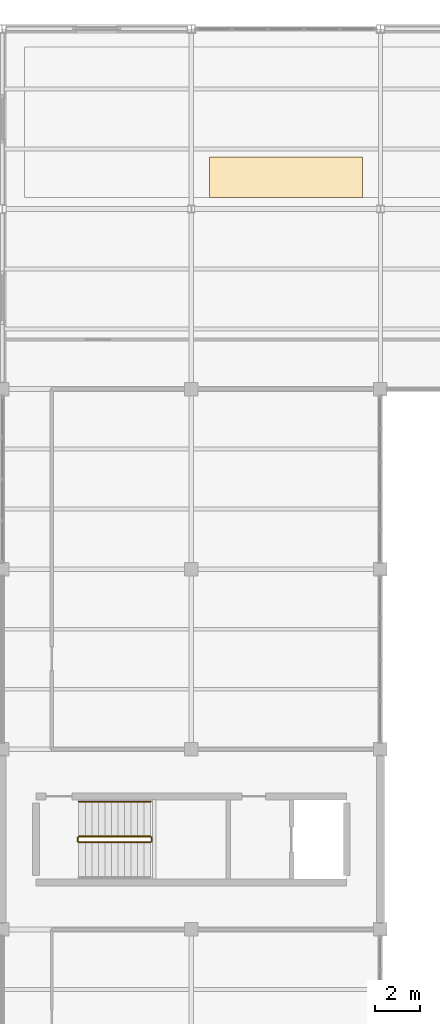
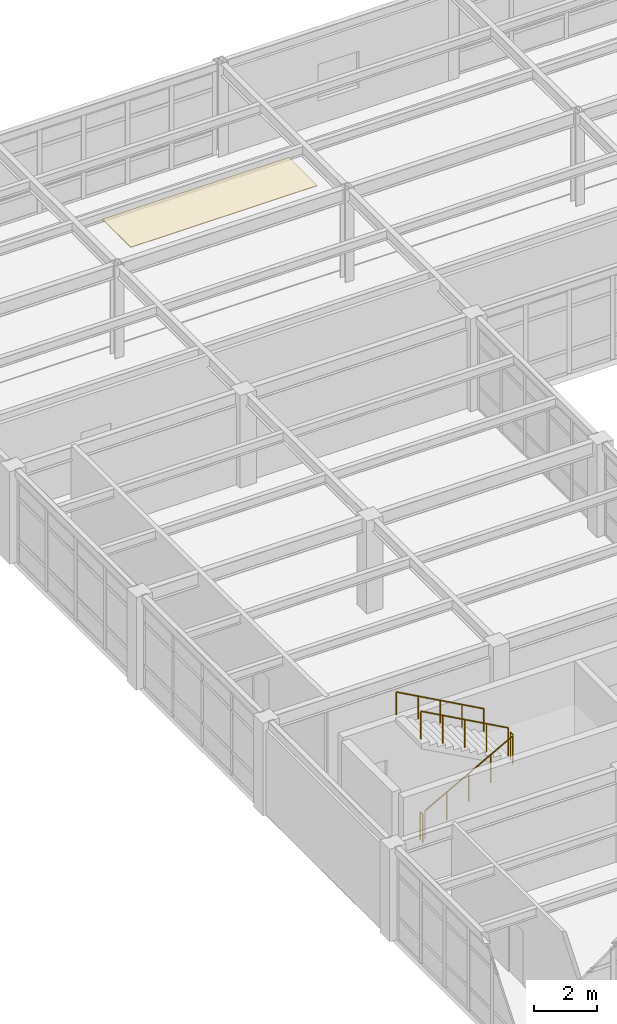
# One storey, part 93 of 96: 5 railings, 1 covering.
"""IFC4 building model written with IfcOpenShell, lengths in metres."""

from ifc_helpers import new_model, si_unit, direction, frame, origin, origin_2d, place, context, subcontext, project, spatial, polyline, circle, outline, extrude, material, layer, layer_set, type_object, element, save


model = new_model("IFC4")

# Units and contexts
model_context = context("Model", 3, precision=1e-05, world=origin(), true_north=direction((0.0, 1.0)))
body_context = subcontext(model_context, "Body", "Model", "MODEL_VIEW")
ifc_project = project(units=[si_unit("LENGTHUNIT", "METRE"), si_unit("AREAUNIT", "SQUARE_METRE"), si_unit("VOLUMEUNIT", "CUBIC_METRE"), si_unit("PLANEANGLEUNIT", "RADIAN"), si_unit("MASSUNIT", "GRAM", prefix="KILO")], contexts=[model_context])

# Site, building, storey
site_placement = place(None, origin())
site = spatial("IfcSite", under=ifc_project, at=site_placement, CompositionType="ELEMENT")
building_placement = place(site_placement, origin())
building = spatial("IfcBuilding", under=site, at=building_placement, Name="Kranzveld Transit Interchange", CompositionType="ELEMENT")
storey_placement = place(building_placement, frame((0.0, 0.0, 9.52001953125)))
storey = spatial("IfcBuildingStorey", under=building, at=storey_placement, Name="L02", CompositionType="ELEMENT", Elevation=9.52001953125)

# Covering
ifc_material_1 = material(Name="Bronze-anodised thermally broken aluminium", Category="aluminium")
ifc_layer = layer(ifc_material_1, 0.02490234375)
ifc_layer_set = layer_set([ifc_layer], Name="Bronze-anodised thermally broken aluminium")
covering_type = type_object("IfcCoveringType", Name="Acoustic Perforated Ceiling Tile 25", PredefinedType="CEILING", material=ifc_layer_set)
covering_placement = place(storey_placement, frame((0.0, 0.0, 3.544921875)))
element("IfcCovering", 1, at=covering_placement, inside=storey, type_object=covering_type, Name="Exhibition Hall Acoustic Ceiling", PredefinedType="CEILING", context=body_context, shape_type="SweptSolid", body=[
    extrude(outline(polyline([(110.0, 104.5), (116.800048828125, 104.5), (116.800048828125, 106.300048828125), (110.0, 106.300048828125), (110.0, 104.5)])), origin(), (0.0, 0.0, 1.0), 0.025146484375),
])

# Railings
ifc_material_2 = material(Name="Steel S355JR", Category="steel")
railing_type_1 = type_object("IfcRailingType", Name="Stair & Ramp Handrail Steel 900", PredefinedType="HANDRAIL", material=ifc_material_2)
railing_1_placement = place(storey_placement, frame((107.389892578125, 77.679931640625, 2.080078125)))
element("IfcRailing", 2, at=railing_1_placement, inside=storey, type_object=railing_type_1, Name="L02 ST-V4A stair handrail 2", PredefinedType="HANDRAIL", context=body_context, shape_type="SweptSolid", body=[
    extrude(circle(Radius=0.02392578125, at=origin_2d()), frame((0.0, 0.0, 0.8759765625), z_axis=(-0.875572797087, 0.0, 0.483086200383), x_axis=(0.0, -1.0, 0.0)), (0.0, 0.0, 1.0), 3.643310546875),
    extrude(circle(Radius=0.02099609375, at=origin_2d()), origin(), (0.0, 0.0, 1.0), 0.849853515625),
    extrude(circle(Radius=0.02099609375, at=origin_2d()), frame((-0.79736328125, 0.0, 0.43994140625)), (0.0, 0.0, 1.0), 0.849853515625),
    extrude(circle(Radius=0.02099609375, at=origin_2d()), frame((-1.594970703125, 0.0, 0.8798828125)), (0.0, 0.0, 1.0), 0.849853515625),
    extrude(circle(Radius=0.02099609375, at=origin_2d()), frame((-2.392578125, 0.0, 1.320068359375)), (0.0, 0.0, 1.0), 0.849853515625),
    extrude(circle(Radius=0.02099609375, at=origin_2d()), frame((-3.18994140625, 0.0, 1.760009765625)), (0.0, 0.0, 1.0), 0.849853515625),
])
ifc_material_3 = material(Name="Steel S355JR", Category="steel")
railing_type_2 = type_object("IfcRailingType", Name="Stair Well Guardrail Steel 1100", PredefinedType="GUARDRAIL", material=ifc_material_3)
railing_2_placement = place(storey_placement, frame((104.199951171875, 75.8701171875, 0.159912109375)))
element("IfcRailing", 3, at=railing_2_placement, inside=storey, type_object=railing_type_2, Name="L02 ST-V4A stair guard 1", PredefinedType="GUARDRAIL", context=body_context, shape_type="SweptSolid", body=[
    extrude(circle(Radius=0.02392578125, at=origin_2d()), frame((0.0, 0.0, 1.076171875), z_axis=(0.875572797087, 0.0, 0.483086200383), x_axis=(0.0, 1.0, 0.0)), (0.0, 0.0, 1.0), 3.643310546875),
    extrude(circle(Radius=0.02099609375, at=origin_2d()), origin(), (0.0, 0.0, 1.0), 1.050048828125),
    extrude(circle(Radius=0.02099609375, at=origin_2d()), frame((0.79736328125, 0.0, 0.43994140625)), (0.0, 0.0, 1.0), 1.050048828125),
    extrude(circle(Radius=0.02099609375, at=origin_2d()), frame((1.594970703125, 0.0, 0.8798828125)), (0.0, 0.0, 1.0), 1.050048828125),
    extrude(circle(Radius=0.02099609375, at=origin_2d()), frame((2.392578125, 0.0, 1.320068359375)), (0.0, 0.0, 1.0), 1.050048828125),
    extrude(circle(Radius=0.02099609375, at=origin_2d()), frame((3.18994140625, 0.0, 1.760009765625)), (0.0, 0.0, 1.0), 1.050048828125),
])
railing_3_placement = place(storey_placement, frame((107.43994140625, 75.919921875, 1.919921875)))
element("IfcRailing", 4, at=railing_3_placement, inside=storey, type_object=railing_type_2, Name="L02 ST-V4A stair guard 2", PredefinedType="GUARDRAIL", context=body_context, shape_type="SweptSolid", body=[
    extrude(circle(Radius=0.02392578125, at=origin_2d()), frame((0.0, 0.0, 1.076171875), z_axis=(0.0, 1.0, 0.0), x_axis=(-1.0, 0.0, 0.0)), (0.0, 0.0, 1.0), 0.16015625),
    extrude(circle(Radius=0.02099609375, at=origin_2d()), origin(), (0.0, 0.0, 1.0), 1.050048828125),
    extrude(circle(Radius=0.02099609375, at=origin_2d()), frame((0.0, 0.16015625, 0.0)), (0.0, 0.0, 1.0), 1.050048828125),
])
railing_4_placement = place(storey_placement, frame((107.389892578125, 76.1298828125, 2.080078125)))
element("IfcRailing", 5, at=railing_4_placement, inside=storey, type_object=railing_type_2, Name="L02 ST-V4A stair guard 3", PredefinedType="GUARDRAIL", context=body_context, shape_type="SweptSolid", body=[
    extrude(circle(Radius=0.02392578125, at=origin_2d()), frame((0.0, 0.0, 1.076171875), z_axis=(-0.875572797087, 0.0, 0.483086200383), x_axis=(0.0, -1.0, 0.0)), (0.0, 0.0, 1.0), 3.643310546875),
    extrude(circle(Radius=0.02099609375, at=origin_2d()), origin(), (0.0, 0.0, 1.0), 1.050048828125),
    extrude(circle(Radius=0.02099609375, at=origin_2d()), frame((-0.79736328125, 0.0, 0.43994140625)), (0.0, 0.0, 1.0), 1.050048828125),
    extrude(circle(Radius=0.02099609375, at=origin_2d()), frame((-1.594970703125, 0.0, 0.8798828125)), (0.0, 0.0, 1.0), 1.050048828125),
    extrude(circle(Radius=0.02099609375, at=origin_2d()), frame((-2.392578125, 0.0, 1.320068359375)), (0.0, 0.0, 1.0), 1.050048828125),
    extrude(circle(Radius=0.02099609375, at=origin_2d()), frame((-3.18994140625, 0.0, 1.760009765625)), (0.0, 0.0, 1.0), 1.050048828125),
])
railing_5_placement = place(storey_placement, frame((104.14990234375, 75.919921875, 0.0)))
element("IfcRailing", 6, at=railing_5_placement, inside=storey, type_object=railing_type_2, Name="L02 ST-V4A stair guard 4", PredefinedType="GUARDRAIL", context=body_context, shape_type="SweptSolid", body=[
    extrude(circle(Radius=0.02392578125, at=origin_2d()), frame((0.0, 0.0, 1.076171875), z_axis=(0.0, 1.0, 0.0), x_axis=(-1.0, 0.0, 0.0)), (0.0, 0.0, 1.0), 0.16015625),
    extrude(circle(Radius=0.02099609375, at=origin_2d()), origin(), (0.0, 0.0, 1.0), 1.050048828125),
    extrude(circle(Radius=0.02099609375, at=origin_2d()), frame((0.0, 0.16015625, 0.0)), (0.0, 0.0, 1.0), 1.050048828125),
])

save(model, "model.ifc")
